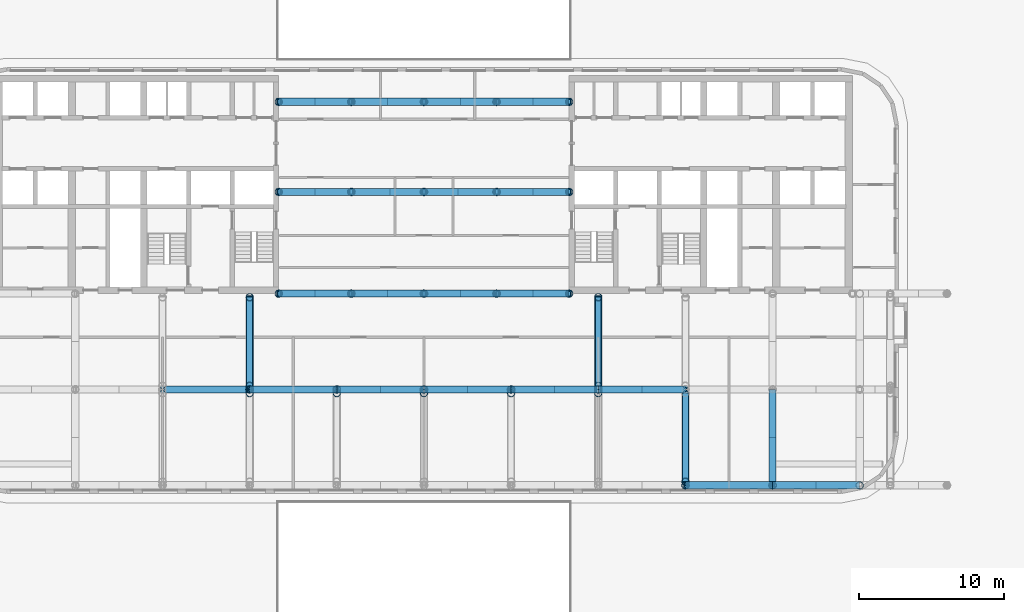
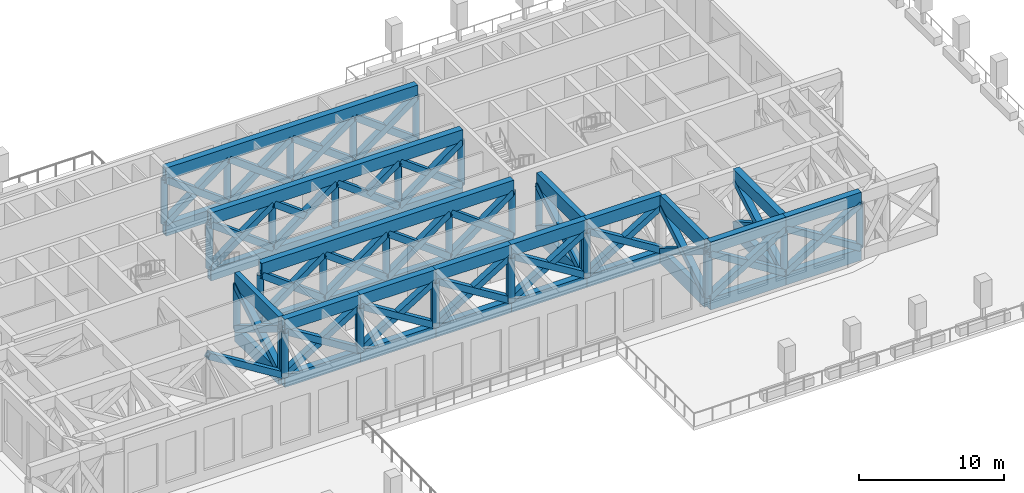
# One storey, part 2 of 20: 80 members, 28 beams.
"""IFC4 building model written with IfcOpenShell, lengths in metres."""

from ifc_helpers import new_model, si_unit, direction, frame, origin, origin_2d, place, context, subcontext, project, spatial, hollow_rectangle, hollow_circle, extrude, material, material_profile, profile_set, type_object, element, save


model = new_model("IFC4")

# Units and contexts
model_context = context("Model", 3, precision=1e-05, world=origin(), true_north=direction((0.0, 1.0)))
body_context = subcontext(model_context, "Body", "Model", "MODEL_VIEW")
ifc_project = project(units=[si_unit("LENGTHUNIT", "METRE"), si_unit("AREAUNIT", "SQUARE_METRE"), si_unit("VOLUMEUNIT", "CUBIC_METRE"), si_unit("PLANEANGLEUNIT", "RADIAN"), si_unit("MASSUNIT", "GRAM", prefix="KILO")], contexts=[model_context])

# Site, building, storey
site_placement = place(None, origin())
site = spatial("IfcSite", under=ifc_project, at=site_placement, CompositionType="ELEMENT")
building_placement = place(site_placement, origin())
building = spatial("IfcBuilding", under=site, at=building_placement, Name="Torana Hotel and Residences", CompositionType="ELEMENT")
storey_placement = place(building_placement, frame((0.0, 0.0, 18.0)))
storey = spatial("IfcBuildingStorey", under=building, at=storey_placement, Name="L03", CompositionType="ELEMENT", Elevation=18.0)

# Beams
ifc_material_1 = material(Name="Steel S355", Category="steel")
ifc_material_profile_1 = material_profile(ifc_material_1, hollow_rectangle(XDim=0.5, YDim=1.0, WallThickness=0.10009765625, at=origin_2d()), Name="BOX 1000x500x100")
ifc_profile_set_1 = profile_set([ifc_material_profile_1], Name="Steel S355")
beam_type_1 = type_object("IfcBeamType", Name="STEEL BAND CHORD BOX 1000x500x100", PredefinedType="BEAM", material=ifc_profile_set_1)
for number, where, z_axis, x_axis, name in (
    (1, (-10.0, -15.0, 0.5), (1.0, 0.0, 0.0), (0.0, 1.0, 0.0), "Transfer chord L03"),
    (2, (-10.0, -15.0, 5.219970703125), (1.0, 0.0, 0.0), (0.0, 1.0, 0.0), "Transfer chord L03"),
    (3, (-10.0, -8.0, 0.5), (1.0, 0.0, 0.0), (0.0, 1.0, 0.0), "Transfer chord L03"),
    (4, (-10.0, -8.0, 5.219970703125), (1.0, 0.0, 0.0), (0.0, 1.0, 0.0), "Transfer chord L03"),
    (5, (-10.0, -1.800048828125, 0.5), (1.0, 0.0, 0.0), (0.0, 1.0, 0.0), "Transfer chord L03"),
    (6, (-10.0, -1.800048828125, 5.219970703125), (1.0, 0.0, 0.0), (0.0, 1.0, 0.0), "Transfer chord L03"),
):
    element("IfcBeam", number, at=place(storey_placement, frame(where, z_axis=z_axis, x_axis=x_axis)), inside=storey, type_object=beam_type_1, Name=name, PredefinedType="BEAM", context=body_context, shape_type="SweptSolid", body=[
        extrude(hollow_rectangle(XDim=0.5, YDim=1.0, WallThickness=0.10009765625, at=origin_2d()), origin(), (0.0, 0.0, 1.0), 20.0),
    ])
ifc_material_2 = material(Name="Steel S355", Category="steel")
ifc_material_profile_2 = material_profile(ifc_material_2, hollow_rectangle(XDim=0.5, YDim=1.0, WallThickness=0.050048828125, at=origin_2d()), Name="BOX 1000x500x50")
ifc_profile_set_2 = profile_set([ifc_material_profile_2], Name="Steel S355")
beam_type_2 = type_object("IfcBeamType", Name="STEEL CHORD BOX 1000x500x50", PredefinedType="BEAM", material=ifc_profile_set_2)
for number, where, z_axis, x_axis, name in (
    (7, (18.0, -28.199951171875, 0.5), (1.0, 0.0, 0.0), (0.0, 1.0, 0.0), "Transfer chord L03"),
    (8, (18.0, -28.199951171875, 5.219970703125), (1.0, 0.0, 0.0), (0.0, 1.0, 0.0), "Transfer chord L03"),
    (9, (24.0, -28.199951171875, 0.5), (1.0, 0.0, 0.0), (0.0, 1.0, 0.0), "Transfer chord L03"),
    (10, (24.0, -28.199951171875, 5.219970703125), (1.0, 0.0, 0.0), (0.0, 1.0, 0.0), "Transfer chord L03"),
    (11, (-12.0, -21.60009765625, 0.5), (1.0, 0.0, 0.0), (0.0, 1.0, 0.0), "Transfer chord L03"),
    (12, (-12.0, -21.60009765625, 5.219970703125), (1.0, 0.0, 0.0), (0.0, 1.0, 0.0), "Transfer chord L03"),
    (13, (-6.0, -21.60009765625, 0.5), (1.0, 0.0, 0.0), (0.0, 1.0, 0.0), "Transfer chord L03"),
    (14, (-6.0, -21.60009765625, 5.219970703125), (1.0, 0.0, 0.0), (0.0, 1.0, 0.0), "Transfer chord L03"),
    (15, (0.0, -21.60009765625, 0.5), (1.0, 0.0, 0.0), (0.0, 1.0, 0.0), "Transfer chord L03"),
    (16, (0.0, -21.60009765625, 5.219970703125), (1.0, 0.0, 0.0), (0.0, 1.0, 0.0), "Transfer chord L03"),
    (17, (6.0, -21.60009765625, 0.5), (1.0, 0.0, 0.0), (0.0, 1.0, 0.0), "Transfer chord L03"),
    (18, (6.0, -21.60009765625, 5.219970703125), (1.0, 0.0, 0.0), (0.0, 1.0, 0.0), "Transfer chord L03"),
    (19, (12.0, -21.60009765625, 0.5), (1.0, 0.0, 0.0), (0.0, 1.0, 0.0), "Transfer chord L03"),
    (20, (12.0, -21.60009765625, 5.219970703125), (1.0, 0.0, 0.0), (0.0, 1.0, 0.0), "Transfer chord L03"),
):
    element("IfcBeam", number, at=place(storey_placement, frame(where, z_axis=z_axis, x_axis=x_axis)), inside=storey, type_object=beam_type_2, Name=name, PredefinedType="BEAM", context=body_context, shape_type="SweptSolid", body=[
        extrude(hollow_rectangle(XDim=0.5, YDim=1.0, WallThickness=0.050048828125, at=origin_2d()), origin(), (0.0, 0.0, 1.0), 6.0),
    ])
for number, where, z_axis, x_axis, name in (
    (21, (24.0, -28.199951171875, 0.5), (0.0, 1.0, 0.0), (-1.0, 0.0, 0.0), "Transfer chord L03"),
    (22, (24.0, -28.199951171875, 5.219970703125), (0.0, 1.0, 0.0), (-1.0, 0.0, 0.0), "Transfer chord L03"),
):
    element("IfcBeam", number, at=place(storey_placement, frame(where, z_axis=z_axis, x_axis=x_axis)), inside=storey, type_object=beam_type_2, Name=name, PredefinedType="BEAM", context=body_context, shape_type="SweptSolid", body=[
        extrude(hollow_rectangle(XDim=0.5, YDim=1.0, WallThickness=0.050048828125, at=origin_2d()), origin(), (0.0, 0.0, 1.0), 6.599853515625),
    ])
ifc_material_3 = material(Name="Steel S355", Category="steel")
ifc_material_profile_3 = material_profile(ifc_material_3, hollow_rectangle(XDim=0.39990234375, YDim=1.199951171875, WallThickness=0.0400390625, at=origin_2d()), Name="BOX 1200x400x40")
ifc_profile_set_3 = profile_set([ifc_material_profile_3], Name="Steel S355")
beam_type_3 = type_object("IfcBeamType", Name="STEEL CHORD BOX 1200x400x40", PredefinedType="BEAM", material=ifc_profile_set_3)
for number, where, z_axis, x_axis, name in (
    (23, (-12.0, -21.35009765625, 0.60009765625), (0.0, 1.0, 0.0), (-1.0, 0.0, 0.0), "Transfer chord L03"),
    (24, (-12.0, -21.35009765625, 5.1201171875), (0.0, 1.0, 0.0), (-1.0, 0.0, 0.0), "Transfer chord L03"),
    (25, (12.0, -21.35009765625, 0.60009765625), (0.0, 1.0, 0.0), (-1.0, 0.0, 0.0), "Transfer chord L03"),
    (26, (12.0, -21.35009765625, 5.1201171875), (0.0, 1.0, 0.0), (-1.0, 0.0, 0.0), "Transfer chord L03"),
):
    element("IfcBeam", number, at=place(storey_placement, frame(where, z_axis=z_axis, x_axis=x_axis)), inside=storey, type_object=beam_type_3, Name=name, PredefinedType="BEAM", context=body_context, shape_type="SweptSolid", body=[
        extrude(hollow_rectangle(XDim=0.39990234375, YDim=1.199951171875, WallThickness=0.0400390625, at=origin_2d()), origin(), (0.0, 0.0, 1.0), 6.10009765625),
    ])
for number, where, z_axis, x_axis, name in (
    (27, (18.0, -27.949951171875, 0.60009765625), (0.0, 1.0, 0.0), (-1.0, 0.0, 0.0), "Transfer chord L03"),
    (28, (18.0, -27.949951171875, 5.1201171875), (0.0, 1.0, 0.0), (-1.0, 0.0, 0.0), "Transfer chord L03"),
):
    element("IfcBeam", number, at=place(storey_placement, frame(where, z_axis=z_axis, x_axis=x_axis)), inside=storey, type_object=beam_type_3, Name=name, PredefinedType="BEAM", context=body_context, shape_type="SweptSolid", body=[
        extrude(hollow_rectangle(XDim=0.39990234375, YDim=1.199951171875, WallThickness=0.0400390625, at=origin_2d()), origin(), (0.0, 0.0, 1.0), 6.099853515625),
    ])

# Members
ifc_material_4 = material(Name="Steel S355", Category="steel")
ifc_material_profile_4 = material_profile(ifc_material_4, hollow_rectangle(XDim=0.5, YDim=0.5, WallThickness=0.10009765625, at=origin_2d()), Name="BOX 500x500x100")
ifc_profile_set_4 = profile_set([ifc_material_profile_4], Name="Steel S355")
member_type_1 = type_object("IfcMemberType", Name="STEEL DIAGONAL BOX 500x500x100", PredefinedType="BRACE", material=ifc_profile_set_4)
for number, where, z_axis, x_axis, name in (
    (29, (-10.0, -15.0, 1.0), (0.802306956603, 0.0, 0.596911674695), (0.0, 1.0, 0.0), "Truss diagonal L03"),
    (30, (-5.0, -15.0, 1.0), (-0.802306956603, 0.0, 0.596911674695), (0.0, -1.0, 0.0), "Truss diagonal L03"),
    (31, (-5.0, -15.0, 1.0), (0.802306956603, 0.0, 0.596911674695), (0.0, 1.0, 0.0), "Truss diagonal L03"),
    (32, (0.0, -15.0, 1.0), (-0.802306956603, 0.0, 0.596911674695), (0.0, -1.0, 0.0), "Truss diagonal L03"),
    (33, (0.0, -15.0, 1.0), (0.802306956603, 0.0, 0.596911674695), (0.0, 1.0, 0.0), "Truss diagonal L03"),
    (34, (5.0, -15.0, 1.0), (-0.802306956603, 0.0, 0.596911674695), (0.0, -1.0, 0.0), "Truss diagonal L03"),
    (35, (5.0, -15.0, 1.0), (0.802306956603, 0.0, 0.596911674695), (0.0, 1.0, 0.0), "Truss diagonal L03"),
    (36, (10.0, -15.0, 1.0), (-0.802306956603, 0.0, 0.596911674695), (0.0, -1.0, 0.0), "Truss diagonal L03"),
    (37, (-10.0, -8.0, 1.0), (0.802306956603, 0.0, 0.596911674695), (0.0, 1.0, 0.0), "Truss diagonal L03"),
    (38, (-5.0, -8.0, 1.0), (-0.802306956603, 0.0, 0.596911674695), (0.0, -1.0, 0.0), "Truss diagonal L03"),
    (39, (-5.0, -8.0, 1.0), (0.802306956603, 0.0, 0.596911674695), (0.0, 1.0, 0.0), "Truss diagonal L03"),
):
    element("IfcMember", number, at=place(storey_placement, frame(where, z_axis=z_axis, x_axis=x_axis)), inside=storey, type_object=member_type_1, Name=name, PredefinedType="BRACE", context=body_context, shape_type="SweptSolid", body=[
        extrude(hollow_rectangle(XDim=0.5, YDim=0.5, WallThickness=0.10009765625, at=origin_2d()), origin(), (0.0, 0.0, 1.0), 6.23193359375),
    ])
for number, where, z_axis, x_axis, name in (
    (40, (-2.5, -8.0, 2.860107421875), (-0.802325717872, 0.0, 0.596886456909), (0.0, -1.0, 0.0), "Truss diagonal L03"),
    (41, (2.5, -8.0, 2.860107421875), (0.802325717872, 0.0, 0.596886456909), (0.0, 1.0, 0.0), "Truss diagonal L03"),
):
    element("IfcMember", number, at=place(storey_placement, frame(where, z_axis=z_axis, x_axis=x_axis)), inside=storey, type_object=member_type_1, Name=name, PredefinedType="BRACE", context=body_context, shape_type="SweptSolid", body=[
        extrude(hollow_rectangle(XDim=0.5, YDim=0.5, WallThickness=0.10009765625, at=origin_2d()), origin(), (0.0, 0.0, 1.0), 3.115966796875),
    ])
for number, where, z_axis, x_axis, name in (
    (42, (5.0, -8.0, 1.0), (-0.802306956603, 0.0, 0.596911674695), (0.0, -1.0, 0.0), "Truss diagonal L03"),
    (43, (5.0, -8.0, 1.0), (0.802306956603, 0.0, 0.596911674695), (0.0, 1.0, 0.0), "Truss diagonal L03"),
    (44, (10.0, -8.0, 1.0), (-0.802306956603, 0.0, 0.596911674695), (0.0, -1.0, 0.0), "Truss diagonal L03"),
    (45, (-10.0, -1.800048828125, 1.0), (0.802306956603, 0.0, 0.596911674695), (0.0, 1.0, 0.0), "Truss diagonal L03"),
    (46, (-5.0, -1.800048828125, 1.0), (-0.802306956603, 0.0, 0.596911674695), (0.0, -1.0, 0.0), "Truss diagonal L03"),
    (47, (-5.0, -1.800048828125, 1.0), (0.802306956603, 0.0, 0.596911674695), (0.0, 1.0, 0.0), "Truss diagonal L03"),
    (48, (0.0, -1.800048828125, 1.0), (-0.802306956603, 0.0, 0.596911674695), (0.0, -1.0, 0.0), "Truss diagonal L03"),
    (49, (0.0, -1.800048828125, 1.0), (0.802306956603, 0.0, 0.596911674695), (0.0, 1.0, 0.0), "Truss diagonal L03"),
    (50, (5.0, -1.800048828125, 1.0), (-0.802306956603, 0.0, 0.596911674695), (0.0, -1.0, 0.0), "Truss diagonal L03"),
    (51, (5.0, -1.800048828125, 1.0), (0.802306956603, 0.0, 0.596911674695), (0.0, 1.0, 0.0), "Truss diagonal L03"),
    (52, (10.0, -1.800048828125, 1.0), (-0.802306956603, 0.0, 0.596911674695), (0.0, -1.0, 0.0), "Truss diagonal L03"),
):
    element("IfcMember", number, at=place(storey_placement, frame(where, z_axis=z_axis, x_axis=x_axis)), inside=storey, type_object=member_type_1, Name=name, PredefinedType="BRACE", context=body_context, shape_type="SweptSolid", body=[
        extrude(hollow_rectangle(XDim=0.5, YDim=0.5, WallThickness=0.10009765625, at=origin_2d()), origin(), (0.0, 0.0, 1.0), 6.23193359375),
    ])
for number, where, z_axis, x_axis, name in (
    (53, (18.0, -28.199951171875, 1.0), (0.84990455024, 0.0, 0.526936671224), (0.0, 1.0, 0.0), "Truss diagonal L03"),
    (54, (24.0, -28.199951171875, 1.0), (-0.84990455024, 0.0, 0.526936671224), (0.0, -1.0, 0.0), "Truss diagonal L03"),
    (55, (24.0, -28.199951171875, 1.0), (0.84990455024, 0.0, 0.526936671224), (0.0, 1.0, 0.0), "Truss diagonal L03"),
    (56, (30.0, -28.199951171875, 1.0), (-0.84990455024, 0.0, 0.526936671224), (0.0, -1.0, 0.0), "Truss diagonal L03"),
    (57, (-12.0, -21.60009765625, 1.0), (-0.84990455024, 0.0, 0.526936671224), (0.0, -1.0, 0.0), "Truss diagonal L03"),
    (58, (-12.0, -21.60009765625, 1.0), (0.84990455024, 0.0, 0.526936671224), (0.0, 1.0, 0.0), "Truss diagonal L03"),
    (59, (-6.0, -21.60009765625, 1.0), (-0.84990455024, 0.0, 0.526936671224), (0.0, -1.0, 0.0), "Truss diagonal L03"),
    (60, (-6.0, -21.60009765625, 1.0), (0.84990455024, 0.0, 0.526936671224), (0.0, 1.0, 0.0), "Truss diagonal L03"),
    (61, (0.0, -21.60009765625, 1.0), (-0.84990455024, 0.0, 0.526936671224), (0.0, -1.0, 0.0), "Truss diagonal L03"),
    (62, (0.0, -21.60009765625, 1.0), (0.84990455024, 0.0, 0.526936671224), (0.0, 1.0, 0.0), "Truss diagonal L03"),
    (63, (6.0, -21.60009765625, 1.0), (-0.84990455024, 0.0, 0.526936671224), (0.0, -1.0, 0.0), "Truss diagonal L03"),
    (64, (6.0, -21.60009765625, 1.0), (0.84990455024, 0.0, 0.526936671224), (0.0, 1.0, 0.0), "Truss diagonal L03"),
    (65, (12.0, -21.60009765625, 1.0), (-0.84990455024, 0.0, 0.526936671224), (0.0, -1.0, 0.0), "Truss diagonal L03"),
    (66, (12.0, -21.60009765625, 1.0), (0.84990455024, 0.0, 0.526936671224), (0.0, 1.0, 0.0), "Truss diagonal L03"),
    (67, (18.0, -21.60009765625, 1.0), (-0.84990455024, 0.0, 0.526936671224), (0.0, -1.0, 0.0), "Truss diagonal L03"),
):
    element("IfcMember", number, at=place(storey_placement, frame(where, z_axis=z_axis, x_axis=x_axis)), inside=storey, type_object=member_type_1, Name=name, PredefinedType="BRACE", context=body_context, shape_type="SweptSolid", body=[
        extrude(hollow_rectangle(XDim=0.5, YDim=0.5, WallThickness=0.10009765625, at=origin_2d()), origin(), (0.0, 0.0, 1.0), 7.0595703125),
    ])
for number, where, z_axis, x_axis, name in (
    (68, (24.0, -28.199951171875, 1.0), (0.0, 0.871149201699, 0.491018399226), (-1.0, 0.0, 0.0), "Truss diagonal L03"),
    (69, (24.0, -21.60009765625, 1.0), (0.0, -0.871149201699, 0.491018399226), (1.0, 0.0, 0.0), "Truss diagonal L03"),
):
    element("IfcMember", number, at=place(storey_placement, frame(where, z_axis=z_axis, x_axis=x_axis)), inside=storey, type_object=member_type_1, Name=name, PredefinedType="BRACE", context=body_context, shape_type="SweptSolid", body=[
        extrude(hollow_rectangle(XDim=0.5, YDim=0.5, WallThickness=0.10009765625, at=origin_2d()), origin(), (0.0, 0.0, 1.0), 7.575927734375),
    ])
for number, where, z_axis, x_axis, name in (
    (70, (-12.0, -21.35009765625, 1.0), (0.0, 0.853771354905, 0.520648128339), (-1.0, 0.0, 0.0), "Truss diagonal L03"),
    (71, (-12.0, -15.25, 1.0), (0.0, -0.853771354905, 0.520648128339), (1.0, 0.0, 0.0), "Truss diagonal L03"),
    (72, (12.0, -21.35009765625, 1.0), (0.0, 0.853771354905, 0.520648128339), (-1.0, 0.0, 0.0), "Truss diagonal L03"),
    (73, (12.0, -15.25, 1.0), (0.0, -0.853771354905, 0.520648128339), (1.0, 0.0, 0.0), "Truss diagonal L03"),
    (74, (18.0, -27.949951171875, 1.0), (0.0, 0.853762091888, 0.520663317755), (-1.0, 0.0, 0.0), "Truss diagonal L03"),
    (75, (18.0, -21.85009765625, 1.0), (0.0, -0.853762091888, 0.520663317755), (1.0, 0.0, 0.0), "Truss diagonal L03"),
):
    element("IfcMember", number, at=place(storey_placement, frame(where, z_axis=z_axis, x_axis=x_axis)), inside=storey, type_object=member_type_1, Name=name, PredefinedType="BRACE", context=body_context, shape_type="SweptSolid", body=[
        extrude(hollow_rectangle(XDim=0.5, YDim=0.5, WallThickness=0.10009765625, at=origin_2d()), origin(), (0.0, 0.0, 1.0), 7.144775390625),
    ])
ifc_material_5 = material(Name="Steel S355", Category="steel")
ifc_material_profile_5 = material_profile(ifc_material_5, hollow_circle(Radius=0.25390625, WallThickness=0.01611328125, at=origin_2d()), Name="508x16 CHS")
ifc_profile_set_5 = profile_set([ifc_material_profile_5], Name="Steel S355")
member_type_2 = type_object("IfcMemberType", Name="STEEL POST 508x16 CHS", PredefinedType="POST", material=ifc_profile_set_5)
for number, where, z_axis, x_axis, name in (
    (76, (18.0, -28.199951171875, 1.0), (0.0, 0.0, 1.0), (0.0, -1.0, 0.0), "Truss post L03"),
    (77, (24.0, -28.199951171875, 1.0), (0.0, 0.0, 1.0), (1.0, 0.0, 0.0), "Truss post L03"),
    (78, (30.0, -28.199951171875, 1.0), (0.0, 0.0, 1.0), (1.0, 0.0, 0.0), "Truss post L03"),
    (79, (-12.0, -21.60009765625, 1.0), (0.0, 0.0, 1.0), (1.0, 0.0, 0.0), "Truss post L03"),
    (80, (-6.0, -21.60009765625, 1.0), (0.0, 0.0, 1.0), (1.0, 0.0, 0.0), "Truss post L03"),
    (81, (0.0, -21.60009765625, 1.0), (0.0, 0.0, 1.0), (1.0, 0.0, 0.0), "Truss post L03"),
    (82, (6.0, -21.60009765625, 1.0), (0.0, 0.0, 1.0), (1.0, 0.0, 0.0), "Truss post L03"),
    (83, (12.0, -21.60009765625, 1.0), (0.0, 0.0, 1.0), (1.0, 0.0, 0.0), "Truss post L03"),
    (84, (-12.0, -21.85009765625, 1.0), (0.0, 0.0, 1.0), (1.0, 0.0, 0.0), "Truss post L03"),
    (85, (-12.0, -21.35009765625, 1.0), (0.0, 0.0, 1.0), (1.0, 0.0, 0.0), "Truss post L03"),
    (86, (-12.0, -15.25, 1.0), (0.0, 0.0, 1.0), (1.0, 0.0, 0.0), "Truss post L03"),
    (87, (-6.0, -21.85009765625, 1.0), (0.0, 0.0, 1.0), (1.0, 0.0, 0.0), "Truss post L03"),
    (88, (0.0, -21.85009765625, 1.0), (0.0, 0.0, 1.0), (1.0, 0.0, 0.0), "Truss post L03"),
    (89, (6.0, -21.85009765625, 1.0), (0.0, 0.0, 1.0), (1.0, 0.0, 0.0), "Truss post L03"),
    (90, (12.0, -21.85009765625, 1.0), (0.0, 0.0, 1.0), (1.0, 0.0, 0.0), "Truss post L03"),
    (91, (12.0, -21.35009765625, 1.0), (0.0, 0.0, 1.0), (1.0, 0.0, 0.0), "Truss post L03"),
    (92, (12.0, -15.25, 1.0), (0.0, 0.0, 1.0), (1.0, 0.0, 0.0), "Truss post L03"),
    (93, (18.0, -27.949951171875, 1.0), (0.0, 0.0, 1.0), (1.0, 0.0, 0.0), "Truss post L03"),
    (94, (-10.0, -15.0, 1.0), (0.0, 0.0, 1.0), (1.0, 0.0, 0.0), "Truss post L03"),
    (95, (10.0, -15.0, 1.0), (0.0, 0.0, 1.0), (1.0, 0.0, 0.0), "Truss post L03"),
    (96, (-10.0, -8.0, 1.0), (0.0, 0.0, 1.0), (1.0, 0.0, 0.0), "Truss post L03"),
    (97, (10.0, -8.0, 1.0), (0.0, 0.0, 1.0), (1.0, 0.0, 0.0), "Truss post L03"),
    (98, (-10.0, -1.800048828125, 1.0), (0.0, 0.0, 1.0), (1.0, 0.0, 0.0), "Truss post L03"),
    (99, (10.0, -1.800048828125, 1.0), (0.0, 0.0, 1.0), (1.0, 0.0, 0.0), "Truss post L03"),
    (100, (-5.0, -15.0, 1.0), (0.0, 0.0, 1.0), (1.0, 0.0, 0.0), "Truss post L03"),
    (101, (0.0, -15.0, 1.0), (0.0, 0.0, 1.0), (1.0, 0.0, 0.0), "Truss post L03"),
    (102, (5.0, -15.0, 1.0), (0.0, 0.0, 1.0), (1.0, 0.0, 0.0), "Truss post L03"),
    (103, (-5.0, -8.0, 1.0), (0.0, 0.0, 1.0), (1.0, 0.0, 0.0), "Truss post L03"),
    (104, (0.0, -8.0, 1.0), (0.0, 0.0, 1.0), (1.0, 0.0, 0.0), "Truss post L03"),
    (105, (5.0, -8.0, 1.0), (0.0, 0.0, 1.0), (1.0, 0.0, 0.0), "Truss post L03"),
    (106, (-5.0, -1.800048828125, 1.0), (0.0, 0.0, 1.0), (1.0, 0.0, 0.0), "Truss post L03"),
    (107, (0.0, -1.800048828125, 1.0), (0.0, 0.0, 1.0), (1.0, 0.0, 0.0), "Truss post L03"),
    (108, (5.0, -1.800048828125, 1.0), (0.0, 0.0, 1.0), (1.0, 0.0, 0.0), "Truss post L03"),
):
    element("IfcMember", number, at=place(storey_placement, frame(where, z_axis=z_axis, x_axis=x_axis)), inside=storey, type_object=member_type_2, Name=name, PredefinedType="POST", context=body_context, shape_type="SweptSolid", body=[
        extrude(hollow_circle(Radius=0.25390625, WallThickness=0.01611328125, at=origin_2d()), origin(), (0.0, 0.0, 1.0), 3.719970703125),
    ])

save(model, "model.ifc")
